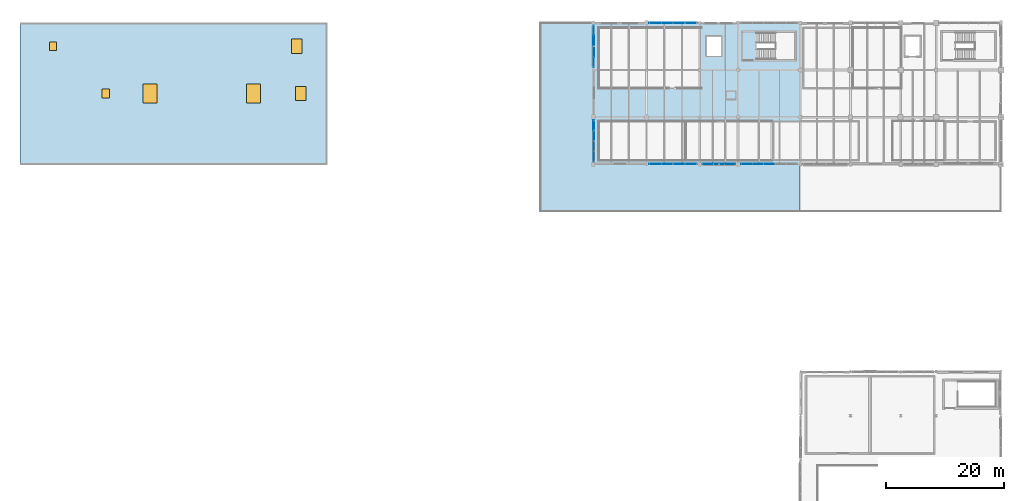
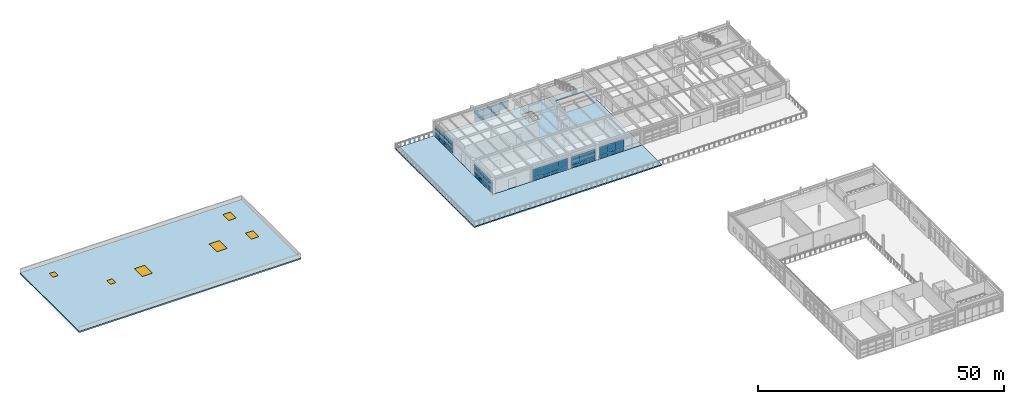
# One storey, part 42 of 56: 43 plates, 6 windows, 3 slabs, 6 openings, 6 elements without a shape of their own.
"""IFC4 building model written with IfcOpenShell, lengths in metres."""

from ifc_helpers import new_model, si_unit, direction, frame, origin, origin_2d, place, context, subcontext, project, spatial, polyline, rectangle, outline, extrude, material, layer, layer_set, type_object, element, fill, aggregate, save


model = new_model("IFC4")

# Units and contexts
model_context = context("Model", 3, precision=1e-05, world=origin(), true_north=direction((0.0, 1.0)))
body_context = subcontext(model_context, "Body", "Model", "MODEL_VIEW")
ifc_project = project(units=[si_unit("LENGTHUNIT", "METRE"), si_unit("AREAUNIT", "SQUARE_METRE"), si_unit("VOLUMEUNIT", "CUBIC_METRE"), si_unit("PLANEANGLEUNIT", "RADIAN"), si_unit("MASSUNIT", "GRAM", prefix="KILO"), si_unit("THERMODYNAMICTEMPERATUREUNIT", "KELVIN"), si_unit("POWERUNIT", "WATT")], contexts=[model_context])

# Site, building, storey
site_placement = place(None, origin())
site = spatial("IfcSite", under=ifc_project, at=site_placement, CompositionType="ELEMENT")
building_placement = place(site_placement, origin())
building = spatial("IfcBuilding", under=site, at=building_placement, Name="Tepalcoro Natatorium and Aquatics Centre", CompositionType="ELEMENT")
storey_placement = place(building_placement, frame((0.0, 0.0, 14.800048828125)))
storey = spatial("IfcBuildingStorey", under=building, at=storey_placement, Name="L03", CompositionType="ELEMENT", Elevation=14.800048828125)

# Curtain wall, plates
ifc_material_1 = material(Name="Bronze-Anodised Extruded Aluminium Alloy EN AW-6063 T6", Category="aluminium")
curtain_wall_type_1 = type_object("IfcCurtainWallType", Name="CW_V3_FOYER", PredefinedType="USERDEFINED", material=ifc_material_1)
curtain_wall_1_placement = place(storey_placement, origin())
curtain_wall_1 = element("IfcCurtainWall", 1, at=curtain_wall_1_placement, inside=storey, type_object=curtain_wall_type_1, Name="V5 L03 S Unitised Curtain Wall Bay 2", ObjectType="UNITISED STOREFRONT", PredefinedType="USERDEFINED")
ifc_material_2 = material(Name="Solar-Control Bronze Tempered Low-E Double Glazing", Category="glass")
ifc_layer_1 = layer(ifc_material_2, 0.048095703125)
ifc_layer_set_1 = layer_set([ifc_layer_1], Name="Solar-Control Bronze Tempered Low-E Double Glazing")
plate_type_1 = type_object("IfcPlateType", Name="PL_ACOUSTIC_IGU_48", PredefinedType="CURTAIN_PANEL", material=ifc_layer_set_1)
plate_1_placement = place(storey_placement, frame((117.485107421875, 94.0712890625, 0.823486328125), z_axis=(0.0, 0.0, 1.0), x_axis=(1.0, 0.0, 0.0)))
plate_1 = element("IfcPlate", 2, at=plate_1_placement, type_object=plate_type_1, Name="CW_V3_FOYER Insulated Glazing Unit", PredefinedType="CURTAIN_PANEL", context=body_context, shape_type="SweptSolid", body=[
    extrude(rectangle(XDim=1.989990234375, YDim=0.048095703125, at=origin_2d()), origin(), (0.0, 0.0, 1.0), 1.89990234375),
])
plate_2_placement = place(storey_placement, frame((123.514892578125, 94.0712890625, 0.823486328125), z_axis=(0.0, 0.0, 1.0), x_axis=(1.0, 0.0, 0.0)))
plate_2 = element("IfcPlate", 3, at=plate_2_placement, type_object=plate_type_1, Name="CW_V3_FOYER Insulated Glazing Unit", PredefinedType="CURTAIN_PANEL", context=body_context, shape_type="SweptSolid", body=[
    extrude(rectangle(XDim=1.989990234375, YDim=0.048095703125, at=origin_2d()), origin(), (0.0, 0.0, 1.0), 1.89990234375),
])

# Curtain wall, plate
curtain_wall_type_2 = type_object("IfcCurtainWallType", Name="CW_V4_VILLAGE", PredefinedType="USERDEFINED", material=ifc_material_1)
curtain_wall_2_placement = place(storey_placement, origin())
curtain_wall_2 = element("IfcCurtainWall", 4, at=curtain_wall_2_placement, inside=storey, type_object=curtain_wall_type_2, Name="V5 L03 S Unitised Curtain Wall Bay 3", ObjectType="UNITISED STOREFRONT", PredefinedType="USERDEFINED")
plate_3_placement = place(storey_placement, frame((130.0966796875, 94.0712890625, 0.804443359375), z_axis=(0.0, 0.0, 1.0), x_axis=(1.0, 0.0, 0.0)))
plate_3 = element("IfcPlate", 5, at=plate_3_placement, type_object=plate_type_1, Name="CW_V4_VILLAGE Insulated Glazing Unit", PredefinedType="CURTAIN_PANEL", context=body_context, shape_type="SweptSolid", body=[
    extrude(rectangle(XDim=1.82666015625, YDim=0.048095703125, at=origin_2d()), origin(), (0.0, 0.0, 1.0), 1.85498046875),
])

curtain_wall_type_3 = type_object("IfcCurtainWallType", Name="CW_V5_LOWER", PredefinedType="USERDEFINED", material=ifc_material_1)
curtain_wall_3_placement = place(storey_placement, origin())
curtain_wall_3 = element("IfcCurtainWall", 6, at=curtain_wall_3_placement, inside=storey, type_object=curtain_wall_type_3, Name="V5 L03 S Unitised Curtain Wall Bay 4", ObjectType="UNITISED STOREFRONT", PredefinedType="USERDEFINED")
plate_4_placement = place(storey_placement, frame((134.842041015625, 94.080078125, 0.85400390625), z_axis=(0.0, 0.0, 1.0), x_axis=(1.0, 0.0, 0.0)))
plate_4 = element("IfcPlate", 7, at=plate_4_placement, type_object=plate_type_1, Name="CW_V5_LOWER Insulated Glazing Unit", PredefinedType="CURTAIN_PANEL", context=body_context, shape_type="SweptSolid", body=[
    extrude(rectangle(XDim=1.887939453125, YDim=0.048095703125, at=origin_2d()), origin(), (0.0, 0.0, 1.0), 1.972412109375),
])

curtain_wall_type_4 = type_object("IfcCurtainWallType", Name="CW_LEAN_T1_EW", PredefinedType="USERDEFINED", material=ifc_material_1)
curtain_wall_4_placement = place(storey_placement, origin())
curtain_wall_4 = element("IfcCurtainWall", 8, at=curtain_wall_4_placement, inside=storey, type_object=curtain_wall_type_4, Name="V5 L03 N Unitised Curtain Wall Bay 2", ObjectType="FACETED SOLAR GLAZING", PredefinedType="USERDEFINED")
plate_5_placement = place(storey_placement, frame((119.4951171875, 117.9287109375, 0.84228515625), z_axis=(0.0, 0.0, 1.0), x_axis=(1.0, 0.0, 0.0)))
plate_5 = element("IfcPlate", 9, at=plate_5_placement, type_object=plate_type_1, Name="CW_LEAN_T1_EW Insulated Glazing Unit", PredefinedType="CURTAIN_PANEL", context=body_context, shape_type="SweptSolid", body=[
    extrude(rectangle(XDim=1.989990234375, YDim=0.048095703125, at=origin_2d()), origin(), (0.0, 0.0, 1.0), 1.944580078125),
])

# Curtain wall, plates
curtain_wall_type_5 = type_object("IfcCurtainWallType", Name="CW_V5_UPPER", PredefinedType="USERDEFINED", material=ifc_material_1)
curtain_wall_5_placement = place(storey_placement, origin())
curtain_wall_5 = element("IfcCurtainWall", 10, at=curtain_wall_5_placement, inside=storey, type_object=curtain_wall_type_5, Name="V5 L03 W Unitised Curtain Wall Bay 1", ObjectType="FACETED SOLAR GLAZING", PredefinedType="USERDEFINED")
plate_6_placement = place(storey_placement, frame((107.0712890625, 95.360107421875, 0.83837890625), z_axis=(0.0, 0.0, 1.0), x_axis=(1.0, 0.0, 0.0)))
plate_6 = element("IfcPlate", 11, at=plate_6_placement, type_object=plate_type_1, Name="CW_V5_UPPER Insulated Glazing Unit", PredefinedType="CURTAIN_PANEL", context=body_context, shape_type="SweptSolid", body=[
    extrude(rectangle(XDim=0.048095703125, YDim=1.739990234375, at=origin_2d()), origin(), (0.0, 0.0, 1.0), 1.935302734375),
])
plate_7_placement = place(storey_placement, frame((107.0712890625, 100.639892578125, 0.83837890625), z_axis=(0.0, 0.0, 1.0), x_axis=(1.0, 0.0, 0.0)))
plate_7 = element("IfcPlate", 12, at=plate_7_placement, type_object=plate_type_1, Name="CW_V5_UPPER Insulated Glazing Unit", PredefinedType="CURTAIN_PANEL", context=body_context, shape_type="SweptSolid", body=[
    extrude(rectangle(XDim=0.048095703125, YDim=1.739990234375, at=origin_2d()), origin(), (0.0, 0.0, 1.0), 1.935302734375),
])

# Curtain wall, plate
curtain_wall_6_placement = place(storey_placement, origin())
curtain_wall_6 = element("IfcCurtainWall", 13, at=curtain_wall_6_placement, inside=storey, type_object=curtain_wall_type_4, Name="V5 L03 W Unitised Curtain Wall Bay 3", ObjectType="FACETED SOLAR GLAZING", PredefinedType="USERDEFINED")
plate_8_placement = place(storey_placement, frame((107.0712890625, 114.8798828125, 0.869140625), z_axis=(0.0, 0.0, 1.0), x_axis=(1.0, 0.0, 0.0)))
plate_8 = element("IfcPlate", 14, at=plate_8_placement, type_object=plate_type_1, Name="CW_LEAN_T1_EW Insulated Glazing Unit", PredefinedType="CURTAIN_PANEL", context=body_context, shape_type="SweptSolid", body=[
    extrude(rectangle(XDim=0.048095703125, YDim=1.739990234375, at=origin_2d()), origin(), (0.0, 0.0, 1.0), 2.0078125),
])

# Plate
ifc_layer_2 = layer(ifc_material_2, 0.028076171875)
ifc_layer_set_2 = layer_set([ifc_layer_2], Name="Solar-Control Bronze Tempered Low-E Double Glazing")
plate_type_2 = type_object("IfcPlateType", Name="PL_BRONZE_IGU_28", PredefinedType="CURTAIN_PANEL", material=ifc_layer_set_2)
plate_9_placement = place(storey_placement, frame((121.5048828125, 94.0712890625, 0.823486328125), z_axis=(0.0, 0.0, 1.0), x_axis=(1.0, 0.0, 0.0)))
plate_9 = element("IfcPlate", 15, at=plate_9_placement, type_object=plate_type_2, Name="CW_V3_FOYER Insulated Glazing Unit", PredefinedType="CURTAIN_PANEL", context=body_context, shape_type="SweptSolid", body=[
    extrude(rectangle(XDim=1.989990234375, YDim=0.028076171875, at=origin_2d()), origin(), (0.0, 0.0, 1.0), 1.89990234375),
])

plate_10_placement = place(storey_placement, frame((128.25, 94.0712890625, 0.804443359375), z_axis=(0.0, 0.0, 1.0), x_axis=(1.0, 0.0, 0.0)))
plate_10 = element("IfcPlate", 16, at=plate_10_placement, type_object=plate_type_2, Name="CW_V4_VILLAGE Insulated Glazing Unit", PredefinedType="CURTAIN_PANEL", context=body_context, shape_type="SweptSolid", body=[
    extrude(rectangle(XDim=1.82666015625, YDim=0.028076171875, at=origin_2d()), origin(), (0.0, 0.0, 1.0), 1.85498046875),
])

plate_11_placement = place(storey_placement, frame((132.93408203125, 94.080078125, 0.85400390625), z_axis=(0.0, 0.0, 1.0), x_axis=(1.0, 0.0, 0.0)))
plate_11 = element("IfcPlate", 17, at=plate_11_placement, type_object=plate_type_2, Name="CW_V5_LOWER Insulated Glazing Unit", PredefinedType="CURTAIN_PANEL", context=body_context, shape_type="SweptSolid", body=[
    extrude(rectangle(XDim=1.887939453125, YDim=0.028076171875, at=origin_2d()), origin(), (0.0, 0.0, 1.0), 1.972412109375),
])

plate_12_placement = place(storey_placement, frame((117.485107421875, 117.9287109375, 0.84228515625), z_axis=(0.0, 0.0, 1.0), x_axis=(1.0, 0.0, 0.0)))
plate_12 = element("IfcPlate", 18, at=plate_12_placement, type_object=plate_type_2, Name="CW_LEAN_T1_EW Insulated Glazing Unit", PredefinedType="CURTAIN_PANEL", context=body_context, shape_type="SweptSolid", body=[
    extrude(rectangle(XDim=1.989990234375, YDim=0.028076171875, at=origin_2d()), origin(), (0.0, 0.0, 1.0), 1.944580078125),
])

plate_13_placement = place(storey_placement, frame((123.514892578125, 117.9287109375, 0.84228515625), z_axis=(0.0, 0.0, 1.0), x_axis=(1.0, 0.0, 0.0)))
plate_13 = element("IfcPlate", 19, at=plate_13_placement, type_object=plate_type_2, Name="CW_LEAN_T1_EW Insulated Glazing Unit", PredefinedType="CURTAIN_PANEL", context=body_context, shape_type="SweptSolid", body=[
    extrude(rectangle(XDim=1.989990234375, YDim=0.028076171875, at=origin_2d()), origin(), (0.0, 0.0, 1.0), 1.944580078125),
])

plate_14_placement = place(storey_placement, frame((107.0712890625, 98.8798828125, 0.83837890625), z_axis=(0.0, 0.0, 1.0), x_axis=(1.0, 0.0, 0.0)))
plate_14 = element("IfcPlate", 20, at=plate_14_placement, type_object=plate_type_2, Name="CW_V5_UPPER Insulated Glazing Unit", PredefinedType="CURTAIN_PANEL", context=body_context, shape_type="SweptSolid", body=[
    extrude(rectangle(XDim=0.028076171875, YDim=1.739990234375, at=origin_2d()), origin(), (0.0, 0.0, 1.0), 1.935302734375),
])

plate_15_placement = place(storey_placement, frame((107.0712890625, 113.1201171875, 0.869140625), z_axis=(0.0, 0.0, 1.0), x_axis=(1.0, 0.0, 0.0)))
plate_15 = element("IfcPlate", 21, at=plate_15_placement, type_object=plate_type_2, Name="CW_LEAN_T1_EW Insulated Glazing Unit", PredefinedType="CURTAIN_PANEL", context=body_context, shape_type="SweptSolid", body=[
    extrude(rectangle(XDim=0.028076171875, YDim=1.739990234375, at=origin_2d()), origin(), (0.0, 0.0, 1.0), 2.0078125),
])

ifc_material_3 = material(Name="Jalisco Cantera Rosa Volcanic Tuff Ashlar Masonry", Category="masonry")
ifc_layer_3 = layer(ifc_material_3, 0.090087890625)
ifc_layer_set_3 = layer_set([ifc_layer_3], Name="Jalisco Cantera Rosa Volcanic Tuff Ashlar Masonry")
plate_type_3 = type_object("IfcPlateType", Name="PL_CANTERA_90", PredefinedType="SHEET", material=ifc_layer_set_3)
plate_16_placement = place(storey_placement, frame((119.4951171875, 94.0712890625, 0.044921875), z_axis=(0.0, 0.0, 1.0), x_axis=(1.0, 0.0, 0.0)))
plate_16 = element("IfcPlate", 22, at=plate_16_placement, type_object=plate_type_3, Name="CW_V3_FOYER Spandrel & Screen Panel", PredefinedType="SHEET", context=body_context, shape_type="SweptSolid", body=[
    extrude(rectangle(XDim=1.989990234375, YDim=0.090087890625, at=origin_2d()), origin(), (0.0, 0.0, 1.0), 0.7734375),
])

plate_17_placement = place(storey_placement, frame((126.4033203125, 94.0712890625, 0.044921875), z_axis=(0.0, 0.0, 1.0), x_axis=(1.0, 0.0, 0.0)))
plate_17 = element("IfcPlate", 23, at=plate_17_placement, type_object=plate_type_3, Name="CW_V4_VILLAGE Spandrel & Screen Panel", PredefinedType="SHEET", context=body_context, shape_type="SweptSolid", body=[
    extrude(rectangle(XDim=1.82666015625, YDim=0.090087890625, at=origin_2d()), origin(), (0.0, 0.0, 1.0), 0.75439453125),
])

plate_18_placement = place(storey_placement, frame((119.4951171875, 117.9287109375, 0.044921875), z_axis=(0.0, 0.0, 1.0), x_axis=(1.0, 0.0, 0.0)))
plate_18 = element("IfcPlate", 24, at=plate_18_placement, type_object=plate_type_3, Name="CW_LEAN_T1_EW Spandrel & Screen Panel", PredefinedType="SHEET", context=body_context, shape_type="SweptSolid", body=[
    extrude(rectangle(XDim=1.989990234375, YDim=0.090087890625, at=origin_2d()), origin(), (0.0, 0.0, 1.0), 0.79248046875),
])

plate_19_placement = place(storey_placement, frame((107.0712890625, 98.8798828125, 0.044921875), z_axis=(0.0, 0.0, 1.0), x_axis=(1.0, 0.0, 0.0)))
plate_19 = element("IfcPlate", 25, at=plate_19_placement, type_object=plate_type_3, Name="CW_V5_UPPER Spandrel & Screen Panel", PredefinedType="SHEET", context=body_context, shape_type="SweptSolid", body=[
    extrude(rectangle(XDim=0.090087890625, YDim=1.739990234375, at=origin_2d()), origin(), (0.0, 0.0, 1.0), 0.78857421875),
])

plate_20_placement = place(storey_placement, frame((107.0712890625, 113.1201171875, 0.044921875), z_axis=(0.0, 0.0, 1.0), x_axis=(1.0, 0.0, 0.0)))
plate_20 = element("IfcPlate", 26, at=plate_20_placement, type_object=plate_type_3, Name="CW_LEAN_T1_EW Spandrel & Screen Panel", PredefinedType="SHEET", context=body_context, shape_type="SweptSolid", body=[
    extrude(rectangle(XDim=0.090087890625, YDim=1.739990234375, at=origin_2d()), origin(), (0.0, 0.0, 1.0), 0.8193359375),
])

ifc_material_4 = material(Name="Clear Tempered Low-E Safety Glazing", Category="glass")
ifc_layer_4 = layer(ifc_material_4, 0.011962890625)
ifc_layer_set_4 = layer_set([ifc_layer_4], Name="Clear Tempered Low-E Safety Glazing")
plate_type_4 = type_object("IfcPlateType", Name="PL_GLASS_12", PredefinedType="CURTAIN_PANEL", material=ifc_layer_set_4)
plate_21_placement = place(storey_placement, frame((119.4951171875, 94.0712890625, 0.823486328125), z_axis=(0.0, 0.0, 1.0), x_axis=(1.0, 0.0, 0.0)))
plate_21 = element("IfcPlate", 27, at=plate_21_placement, type_object=plate_type_4, Name="CW_V3_FOYER Insulated Glazing Unit", PredefinedType="CURTAIN_PANEL", context=body_context, shape_type="SweptSolid", body=[
    extrude(rectangle(XDim=1.989990234375, YDim=0.011962890625, at=origin_2d()), origin(), (0.0, 0.0, 1.0), 1.89990234375),
])

plate_22_placement = place(storey_placement, frame((126.4033203125, 94.0712890625, 0.804443359375), z_axis=(0.0, 0.0, 1.0), x_axis=(1.0, 0.0, 0.0)))
plate_22 = element("IfcPlate", 28, at=plate_22_placement, type_object=plate_type_4, Name="CW_V4_VILLAGE Insulated Glazing Unit", PredefinedType="CURTAIN_PANEL", context=body_context, shape_type="SweptSolid", body=[
    extrude(rectangle(XDim=1.82666015625, YDim=0.011962890625, at=origin_2d()), origin(), (0.0, 0.0, 1.0), 1.85498046875),
])

plate_23_placement = place(storey_placement, frame((136.75, 94.080078125, 0.85400390625), z_axis=(0.0, 0.0, 1.0), x_axis=(1.0, 0.0, 0.0)))
plate_23 = element("IfcPlate", 29, at=plate_23_placement, type_object=plate_type_4, Name="CW_V5_LOWER Insulated Glazing Unit", PredefinedType="CURTAIN_PANEL", context=body_context, shape_type="SweptSolid", body=[
    extrude(rectangle(XDim=1.887939453125, YDim=0.011962890625, at=origin_2d()), origin(), (0.0, 0.0, 1.0), 1.972412109375),
])

plate_24_placement = place(storey_placement, frame((121.5048828125, 117.9287109375, 0.84228515625), z_axis=(0.0, 0.0, 1.0), x_axis=(1.0, 0.0, 0.0)))
plate_24 = element("IfcPlate", 30, at=plate_24_placement, type_object=plate_type_4, Name="CW_LEAN_T1_EW Insulated Glazing Unit", PredefinedType="CURTAIN_PANEL", context=body_context, shape_type="SweptSolid", body=[
    extrude(rectangle(XDim=1.989990234375, YDim=0.011962890625, at=origin_2d()), origin(), (0.0, 0.0, 1.0), 1.944580078125),
])

plate_25_placement = place(storey_placement, frame((107.0712890625, 97.1201171875, 0.83837890625), z_axis=(0.0, 0.0, 1.0), x_axis=(1.0, 0.0, 0.0)))
plate_25 = element("IfcPlate", 31, at=plate_25_placement, type_object=plate_type_4, Name="CW_V5_UPPER Insulated Glazing Unit", PredefinedType="CURTAIN_PANEL", context=body_context, shape_type="SweptSolid", body=[
    extrude(rectangle(XDim=0.011962890625, YDim=1.739990234375, at=origin_2d()), origin(), (0.0, 0.0, 1.0), 1.935302734375),
])

plate_26_placement = place(storey_placement, frame((107.0712890625, 111.360107421875, 0.869140625), z_axis=(0.0, 0.0, 1.0), x_axis=(1.0, 0.0, 0.0)))
plate_26 = element("IfcPlate", 32, at=plate_26_placement, type_object=plate_type_4, Name="CW_LEAN_T1_EW Insulated Glazing Unit", PredefinedType="CURTAIN_PANEL", context=body_context, shape_type="SweptSolid", body=[
    extrude(rectangle(XDim=0.011962890625, YDim=1.739990234375, at=origin_2d()), origin(), (0.0, 0.0, 1.0), 2.0078125),
])

plate_27_placement = place(storey_placement, frame((107.0712890625, 116.639892578125, 0.869140625), z_axis=(0.0, 0.0, 1.0), x_axis=(1.0, 0.0, 0.0)))
plate_27 = element("IfcPlate", 33, at=plate_27_placement, type_object=plate_type_4, Name="CW_LEAN_T1_EW Insulated Glazing Unit", PredefinedType="CURTAIN_PANEL", context=body_context, shape_type="SweptSolid", body=[
    extrude(rectangle(XDim=0.011962890625, YDim=1.739990234375, at=origin_2d()), origin(), (0.0, 0.0, 1.0), 2.0078125),
])

ifc_material_5 = material(Name="Volcanic Recinto Basalt Ashlar Masonry", Category="masonry")
ifc_layer_5 = layer(ifc_material_5, 0.110107421875)
ifc_layer_set_5 = layer_set([ifc_layer_5], Name="Volcanic Recinto Basalt Ashlar Masonry")
plate_type_5 = type_object("IfcPlateType", Name="PL_RECINTO_110", PredefinedType="SHEET", material=ifc_layer_set_5)
plate_28_placement = place(storey_placement, frame((121.5048828125, 94.0712890625, 0.044921875), z_axis=(0.0, 0.0, 1.0), x_axis=(1.0, 0.0, 0.0)))
plate_28 = element("IfcPlate", 34, at=plate_28_placement, type_object=plate_type_5, Name="CW_V3_FOYER Spandrel & Screen Panel", PredefinedType="SHEET", context=body_context, shape_type="SweptSolid", body=[
    extrude(rectangle(XDim=1.989990234375, YDim=0.110107421875, at=origin_2d()), origin(), (0.0, 0.0, 1.0), 0.7734375),
])

plate_29_placement = place(storey_placement, frame((128.25, 94.0712890625, 0.044921875), z_axis=(0.0, 0.0, 1.0), x_axis=(1.0, 0.0, 0.0)))
plate_29 = element("IfcPlate", 35, at=plate_29_placement, type_object=plate_type_5, Name="CW_V4_VILLAGE Spandrel & Screen Panel", PredefinedType="SHEET", context=body_context, shape_type="SweptSolid", body=[
    extrude(rectangle(XDim=1.82666015625, YDim=0.110107421875, at=origin_2d()), origin(), (0.0, 0.0, 1.0), 0.75439453125),
])

plate_30_placement = place(storey_placement, frame((132.93408203125, 94.080078125, 0.044921875), z_axis=(0.0, 0.0, 1.0), x_axis=(1.0, 0.0, 0.0)))
plate_30 = element("IfcPlate", 36, at=plate_30_placement, type_object=plate_type_5, Name="CW_V5_LOWER Spandrel & Screen Panel", PredefinedType="SHEET", context=body_context, shape_type="SweptSolid", body=[
    extrude(rectangle(XDim=1.887939453125, YDim=0.110107421875, at=origin_2d()), origin(), (0.0, 0.0, 1.0), 0.80419921875),
])

plate_31_placement = place(storey_placement, frame((121.5048828125, 117.9287109375, 0.044921875), z_axis=(0.0, 0.0, 1.0), x_axis=(1.0, 0.0, 0.0)))
plate_31 = element("IfcPlate", 37, at=plate_31_placement, type_object=plate_type_5, Name="CW_LEAN_T1_EW Spandrel & Screen Panel", PredefinedType="SHEET", context=body_context, shape_type="SweptSolid", body=[
    extrude(rectangle(XDim=1.989990234375, YDim=0.110107421875, at=origin_2d()), origin(), (0.0, 0.0, 1.0), 0.79248046875),
])

plate_32_placement = place(storey_placement, frame((107.0712890625, 100.639892578125, 0.044921875), z_axis=(0.0, 0.0, 1.0), x_axis=(1.0, 0.0, 0.0)))
plate_32 = element("IfcPlate", 38, at=plate_32_placement, type_object=plate_type_5, Name="CW_V5_UPPER Spandrel & Screen Panel", PredefinedType="SHEET", context=body_context, shape_type="SweptSolid", body=[
    extrude(rectangle(XDim=0.110107421875, YDim=1.739990234375, at=origin_2d()), origin(), (0.0, 0.0, 1.0), 0.78857421875),
])

plate_33_placement = place(storey_placement, frame((107.0712890625, 114.8798828125, 0.044921875), z_axis=(0.0, 0.0, 1.0), x_axis=(1.0, 0.0, 0.0)))
plate_33 = element("IfcPlate", 39, at=plate_33_placement, type_object=plate_type_5, Name="CW_LEAN_T1_EW Spandrel & Screen Panel", PredefinedType="SHEET", context=body_context, shape_type="SweptSolid", body=[
    extrude(rectangle(XDim=0.110107421875, YDim=1.739990234375, at=origin_2d()), origin(), (0.0, 0.0, 1.0), 0.8193359375),
])

ifc_layer_6 = layer(ifc_material_1, 0.050048828125)
ifc_layer_set_6 = layer_set([ifc_layer_6], Name="Bronze-Anodised Extruded Aluminium Alloy EN AW-6063 T6")
plate_type_6 = type_object("IfcPlateType", Name="PL_SCREEN_50", PredefinedType="SHEET", material=ifc_layer_set_6)
plate_34_placement = place(storey_placement, frame((136.75, 94.080078125, 0.044921875), z_axis=(0.0, 0.0, 1.0), x_axis=(1.0, 0.0, 0.0)))
plate_34 = element("IfcPlate", 40, at=plate_34_placement, type_object=plate_type_6, Name="CW_V5_LOWER Spandrel & Screen Panel", PredefinedType="SHEET", context=body_context, shape_type="SweptSolid", body=[
    extrude(rectangle(XDim=1.887939453125, YDim=0.050048828125, at=origin_2d()), origin(), (0.0, 0.0, 1.0), 0.80419921875),
])

plate_35_placement = place(storey_placement, frame((107.0712890625, 95.360107421875, 0.044921875), z_axis=(0.0, 0.0, 1.0), x_axis=(1.0, 0.0, 0.0)))
plate_35 = element("IfcPlate", 41, at=plate_35_placement, type_object=plate_type_6, Name="CW_V5_UPPER Spandrel & Screen Panel", PredefinedType="SHEET", context=body_context, shape_type="SweptSolid", body=[
    extrude(rectangle(XDim=0.050048828125, YDim=1.739990234375, at=origin_2d()), origin(), (0.0, 0.0, 1.0), 0.78857421875),
])

ifc_layer_7 = layer(ifc_material_1, 0.06005859375)
ifc_layer_set_7 = layer_set([ifc_layer_7], Name="Bronze-Anodised Extruded Aluminium Alloy EN AW-6063 T6")
plate_type_7 = type_object("IfcPlateType", Name="PL_SCREEN_60", PredefinedType="SHEET", material=ifc_layer_set_7)
plate_36_placement = place(storey_placement, frame((117.485107421875, 94.0712890625, 0.044921875), z_axis=(0.0, 0.0, 1.0), x_axis=(1.0, 0.0, 0.0)))
plate_36 = element("IfcPlate", 42, at=plate_36_placement, type_object=plate_type_7, Name="CW_V3_FOYER Spandrel & Screen Panel", PredefinedType="SHEET", context=body_context, shape_type="SweptSolid", body=[
    extrude(rectangle(XDim=1.989990234375, YDim=0.06005859375, at=origin_2d()), origin(), (0.0, 0.0, 1.0), 0.7734375),
])

plate_37_placement = place(storey_placement, frame((117.485107421875, 117.9287109375, 0.044921875), z_axis=(0.0, 0.0, 1.0), x_axis=(1.0, 0.0, 0.0)))
plate_37 = element("IfcPlate", 43, at=plate_37_placement, type_object=plate_type_7, Name="CW_LEAN_T1_EW Spandrel & Screen Panel", PredefinedType="SHEET", context=body_context, shape_type="SweptSolid", body=[
    extrude(rectangle(XDim=1.989990234375, YDim=0.06005859375, at=origin_2d()), origin(), (0.0, 0.0, 1.0), 0.79248046875),
])

aggregate(curtain_wall_4, [plate_12, plate_37, plate_5, plate_18, plate_24, plate_31, plate_13])

plate_38_placement = place(storey_placement, frame((107.0712890625, 97.1201171875, 0.044921875), z_axis=(0.0, 0.0, 1.0), x_axis=(1.0, 0.0, 0.0)))
plate_38 = element("IfcPlate", 44, at=plate_38_placement, type_object=plate_type_7, Name="CW_V5_UPPER Spandrel & Screen Panel", PredefinedType="SHEET", context=body_context, shape_type="SweptSolid", body=[
    extrude(rectangle(XDim=0.06005859375, YDim=1.739990234375, at=origin_2d()), origin(), (0.0, 0.0, 1.0), 0.78857421875),
])

aggregate(curtain_wall_5, [plate_6, plate_35, plate_25, plate_38, plate_14, plate_19, plate_7, plate_32])

plate_39_placement = place(storey_placement, frame((107.0712890625, 111.360107421875, 0.044921875), z_axis=(0.0, 0.0, 1.0), x_axis=(1.0, 0.0, 0.0)))
plate_39 = element("IfcPlate", 45, at=plate_39_placement, type_object=plate_type_7, Name="CW_LEAN_T1_EW Spandrel & Screen Panel", PredefinedType="SHEET", context=body_context, shape_type="SweptSolid", body=[
    extrude(rectangle(XDim=0.06005859375, YDim=1.739990234375, at=origin_2d()), origin(), (0.0, 0.0, 1.0), 0.8193359375),
])

ifc_material_6 = material(Name="Insulated Bronze Anodised Aluminium Spandrel Panel", Category="aluminium")
ifc_layer_8 = layer(ifc_material_6, 0.070068359375)
ifc_layer_set_8 = layer_set([ifc_layer_8], Name="Insulated Bronze Anodised Aluminium Spandrel Panel")
plate_type_8 = type_object("IfcPlateType", Name="PL_SPANDREL_70", PredefinedType="CURTAIN_PANEL", material=ifc_layer_set_8)
plate_40_placement = place(storey_placement, frame((123.514892578125, 94.0712890625, 0.044921875), z_axis=(0.0, 0.0, 1.0), x_axis=(1.0, 0.0, 0.0)))
plate_40 = element("IfcPlate", 46, at=plate_40_placement, type_object=plate_type_8, Name="CW_V3_FOYER Spandrel & Screen Panel", PredefinedType="CURTAIN_PANEL", context=body_context, shape_type="SweptSolid", body=[
    extrude(rectangle(XDim=1.989990234375, YDim=0.070068359375, at=origin_2d()), origin(), (0.0, 0.0, 1.0), 0.7734375),
])

aggregate(curtain_wall_1, [plate_1, plate_36, plate_21, plate_16, plate_9, plate_28, plate_2, plate_40])

plate_41_placement = place(storey_placement, frame((130.0966796875, 94.0712890625, 0.044921875), z_axis=(0.0, 0.0, 1.0), x_axis=(1.0, 0.0, 0.0)))
plate_41 = element("IfcPlate", 47, at=plate_41_placement, type_object=plate_type_8, Name="CW_V4_VILLAGE Spandrel & Screen Panel", PredefinedType="CURTAIN_PANEL", context=body_context, shape_type="SweptSolid", body=[
    extrude(rectangle(XDim=1.82666015625, YDim=0.070068359375, at=origin_2d()), origin(), (0.0, 0.0, 1.0), 0.75439453125),
])

aggregate(curtain_wall_2, [plate_22, plate_17, plate_10, plate_29, plate_3, plate_41])

plate_42_placement = place(storey_placement, frame((134.842041015625, 94.080078125, 0.044921875), z_axis=(0.0, 0.0, 1.0), x_axis=(1.0, 0.0, 0.0)))
plate_42 = element("IfcPlate", 48, at=plate_42_placement, type_object=plate_type_8, Name="CW_V5_LOWER Spandrel & Screen Panel", PredefinedType="CURTAIN_PANEL", context=body_context, shape_type="SweptSolid", body=[
    extrude(rectangle(XDim=1.887939453125, YDim=0.070068359375, at=origin_2d()), origin(), (0.0, 0.0, 1.0), 0.80419921875),
])

aggregate(curtain_wall_3, [plate_11, plate_30, plate_4, plate_42, plate_23, plate_34])

plate_43_placement = place(storey_placement, frame((107.0712890625, 116.639892578125, 0.044921875), z_axis=(0.0, 0.0, 1.0), x_axis=(1.0, 0.0, 0.0)))
plate_43 = element("IfcPlate", 49, at=plate_43_placement, type_object=plate_type_8, Name="CW_LEAN_T1_EW Spandrel & Screen Panel", PredefinedType="CURTAIN_PANEL", context=body_context, shape_type="SweptSolid", body=[
    extrude(rectangle(XDim=0.070068359375, YDim=1.739990234375, at=origin_2d()), origin(), (0.0, 0.0, 1.0), 0.8193359375),
])

aggregate(curtain_wall_6, [plate_26, plate_39, plate_15, plate_20, plate_8, plate_33, plate_27, plate_43])

# Slab
ifc_material_7 = material(Name="Concrete C35/45 (fc 35 MPa)", Category="concrete")
ifc_layer_9 = layer(ifc_material_7, 0.219970703125)
ifc_layer_set_9 = layer_set([ifc_layer_9], Name="Concrete C35/45 (fc 35 MPa)")
slab_type_1 = type_object("IfcSlabType", Name="SL_FLOOR_220", PredefinedType="FLOOR", material=ifc_layer_set_9)
slab_1_placement = place(storey_placement, frame((0.0, 0.0, -0.219970703125)))
element("IfcSlab", 50, at=slab_1_placement, inside=storey, type_object=slab_type_1, Name="V5 L03 Natatorium and Civic Floor Slab W", PredefinedType="FLOOR", context=body_context, shape_type="SweptSolid", body=[
    extrude(outline(polyline([(107.0, 118.0), (142.0, 118.0), (142.0, 94.0), (107.0, 94.0), (107.0, 118.0)]), holes=[polyline([(141.10009765625, 116.35009765625), (134.580078125, 116.35009765625), (134.580078125, 111.75), (141.10009765625, 111.75), (141.10009765625, 116.35009765625)]), polyline([(126.199951171875, 112.39990234375), (128.60009765625, 112.39990234375), (128.60009765625, 115.60009765625), (126.199951171875, 115.60009765625), (126.199951171875, 112.39990234375)])]), origin(), (0.0, 0.0, 1.0), 0.219970703125),
])

# Slab, openings, windows
ifc_layer_10 = layer(ifc_material_7, 0.35009765625)
ifc_layer_set_10 = layer_set([ifc_layer_10], Name="Concrete C35/45 (fc 35 MPa)")
slab_type_2 = type_object("IfcSlabType", Name="SL_GREENROOF_350", PredefinedType="ROOF", material=ifc_layer_set_10)
slab_2_placement = place(storey_placement, frame((0.0, 0.0, -0.35009765625)))
slab_2 = element("IfcSlab", 51, at=slab_2_placement, inside=storey, type_object=slab_type_2, Name="V4 Intensive Green Roof Slab", PredefinedType="ROOF", context=body_context, shape_type="SweptSolid", body=[
    extrude(outline(polyline([(62.0, 94.0), (62.0, 118.0), (10.0, 118.0), (10.0, 94.0), (62.0, 94.0)])), origin(), (0.0, 0.0, 1.0), 0.35009765625),
])
opening_1_placement = place(slab_2_placement, frame((15.60009765625, 114.0, 0.0)))
opening_1 = element("IfcOpeningElement", 52, at=opening_1_placement, cuts=slab_2, Name="Opening SK01", PredefinedType="OPENING", context=body_context, shape_type="SweptSolid", body=[
    extrude(rectangle(XDim=1.199951171875, YDim=1.5, at=origin_2d()), frame((0.0, 0.0, -0.011962890625)), (0.0, 0.0, 1.0), 0.3740234375),
])
opening_2_placement = place(slab_2_placement, frame((24.5, 106.0, 0.0)))
opening_2 = element("IfcOpeningElement", 53, at=opening_2_placement, cuts=slab_2, Name="Opening SK01", PredefinedType="OPENING", context=body_context, shape_type="SweptSolid", body=[
    extrude(rectangle(XDim=1.199951171875, YDim=1.5, at=origin_2d()), frame((0.0, 0.0, -0.011962890625)), (0.0, 0.0, 1.0), 0.3740234375),
])
opening_3_placement = place(slab_2_placement, frame((32.0, 106.0, 0.0)))
opening_3 = element("IfcOpeningElement", 54, at=opening_3_placement, cuts=slab_2, Name="Opening SK03", PredefinedType="OPENING", context=body_context, shape_type="SweptSolid", body=[
    extrude(rectangle(XDim=2.39990234375, YDim=3.199951171875, at=origin_2d()), frame((0.0, 0.0, -0.011962890625)), (0.0, 0.0, 1.0), 0.3740234375),
])
opening_4_placement = place(slab_2_placement, frame((49.5, 106.0, 0.0)))
opening_4 = element("IfcOpeningElement", 55, at=opening_4_placement, cuts=slab_2, Name="Opening SK03", PredefinedType="OPENING", context=body_context, shape_type="SweptSolid", body=[
    extrude(rectangle(XDim=2.39990234375, YDim=3.199951171875, at=origin_2d()), frame((0.0, 0.0, -0.011962890625)), (0.0, 0.0, 1.0), 0.3740234375),
])
opening_5_placement = place(slab_2_placement, frame((56.800048828125, 114.0, 0.0)))
opening_5 = element("IfcOpeningElement", 56, at=opening_5_placement, cuts=slab_2, Name="Opening SK02", PredefinedType="OPENING", context=body_context, shape_type="SweptSolid", body=[
    extrude(rectangle(XDim=1.800048828125, YDim=2.39990234375, at=origin_2d()), frame((0.0, 0.0, -0.011962890625)), (0.0, 0.0, 1.0), 0.3740234375),
])
opening_6_placement = place(slab_2_placement, frame((57.5, 106.0, 0.0)))
opening_6 = element("IfcOpeningElement", 57, at=opening_6_placement, cuts=slab_2, Name="Opening SK02", PredefinedType="OPENING", context=body_context, shape_type="SweptSolid", body=[
    extrude(rectangle(XDim=1.800048828125, YDim=2.39990234375, at=origin_2d()), frame((0.0, 0.0, -0.011962890625)), (0.0, 0.0, 1.0), 0.3740234375),
])
ifc_material_8 = material(Name="Tempered Solar-Control Pyramid Skylight Glazing", Category="glass")
window_type_1 = type_object("IfcWindowType", Name="SK_120x150", PartitioningType="SINGLE_PANEL", PredefinedType="SKYLIGHT", material=ifc_material_8)
window_1_placement = place(opening_1_placement, frame((0.0, 0.0, 0.300048828125)))
window_1 = element("IfcWindow", 58, at=window_1_placement, inside=storey, type_object=window_type_1, Name="V4 Roof Skylight Hatch W1", OverallHeight=1.5, OverallWidth=1.199951171875, PartitioningType="SINGLE_PANEL", PredefinedType="SKYLIGHT", context=body_context, shape_type="SweptSolid", body=[
    extrude(rectangle(XDim=1.199951171875, YDim=1.5, at=origin_2d()), origin(), (0.0, 0.0, 1.0), 0.050048828125),
])
fill(opening_1, window_1)
window_2_placement = place(opening_2_placement, frame((0.0, 0.0, 0.300048828125)))
window_2 = element("IfcWindow", 59, at=window_2_placement, inside=storey, type_object=window_type_1, Name="V4 Roof Skylight Hatch W2", OverallHeight=1.5, OverallWidth=1.199951171875, PartitioningType="SINGLE_PANEL", PredefinedType="SKYLIGHT", context=body_context, shape_type="SweptSolid", body=[
    extrude(rectangle(XDim=1.199951171875, YDim=1.5, at=origin_2d()), origin(), (0.0, 0.0, 1.0), 0.050048828125),
])
fill(opening_2, window_2)
window_type_2 = type_object("IfcWindowType", Name="SK_180x240", PartitioningType="SINGLE_PANEL", PredefinedType="SKYLIGHT", material=ifc_material_8)
window_3_placement = place(opening_5_placement, frame((0.0, 0.0, 0.300048828125)))
window_3 = element("IfcWindow", 60, at=window_3_placement, inside=storey, type_object=window_type_2, Name="V4 Roof Skylight Hatch E1", OverallHeight=2.39990234375, OverallWidth=1.800048828125, PartitioningType="SINGLE_PANEL", PredefinedType="SKYLIGHT", context=body_context, shape_type="SweptSolid", body=[
    extrude(rectangle(XDim=1.800048828125, YDim=2.39990234375, at=origin_2d()), origin(), (0.0, 0.0, 1.0), 0.050048828125),
])
fill(opening_5, window_3)
window_4_placement = place(opening_6_placement, frame((0.0, 0.0, 0.300048828125)))
window_4 = element("IfcWindow", 61, at=window_4_placement, inside=storey, type_object=window_type_2, Name="V4 Roof Skylight Hatch E2", OverallHeight=2.39990234375, OverallWidth=1.800048828125, PartitioningType="SINGLE_PANEL", PredefinedType="SKYLIGHT", context=body_context, shape_type="SweptSolid", body=[
    extrude(rectangle(XDim=1.800048828125, YDim=2.39990234375, at=origin_2d()), origin(), (0.0, 0.0, 1.0), 0.050048828125),
])
fill(opening_6, window_4)
window_type_3 = type_object("IfcWindowType", Name="SK_240x320", PartitioningType="SINGLE_PANEL", PredefinedType="SKYLIGHT", material=ifc_material_8)
window_5_placement = place(opening_3_placement, frame((0.0, 0.0, 0.300048828125)))
window_5 = element("IfcWindow", 62, at=window_5_placement, inside=storey, type_object=window_type_3, Name="V4 Roof Skylight Hatch M1", OverallHeight=3.199951171875, OverallWidth=2.39990234375, PartitioningType="SINGLE_PANEL", PredefinedType="SKYLIGHT", context=body_context, shape_type="SweptSolid", body=[
    extrude(rectangle(XDim=2.39990234375, YDim=3.199951171875, at=origin_2d()), origin(), (0.0, 0.0, 1.0), 0.050048828125),
])
fill(opening_3, window_5)
window_6_placement = place(opening_4_placement, frame((0.0, 0.0, 0.300048828125)))
window_6 = element("IfcWindow", 63, at=window_6_placement, inside=storey, type_object=window_type_3, Name="V4 Roof Skylight Hatch M2", OverallHeight=3.199951171875, OverallWidth=2.39990234375, PartitioningType="SINGLE_PANEL", PredefinedType="SKYLIGHT", context=body_context, shape_type="SweptSolid", body=[
    extrude(rectangle(XDim=2.39990234375, YDim=3.199951171875, at=origin_2d()), origin(), (0.0, 0.0, 1.0), 0.050048828125),
])
fill(opening_4, window_6)

# Slab
ifc_layer_11 = layer(ifc_material_7, 0.300048828125)
ifc_layer_set_11 = layer_set([ifc_layer_11], Name="Concrete C35/45 (fc 35 MPa)")
slab_type_3 = type_object("IfcSlabType", Name="SL_TERRACE_300", PredefinedType="FLOOR", material=ifc_layer_set_11)
slab_3_placement = place(storey_placement, frame((0.0, 0.0, -0.300048828125)))
element("IfcSlab", 64, at=slab_3_placement, inside=storey, type_object=slab_type_3, Name="V5 L03 Planted Thermal Spa Terrace W", PredefinedType="FLOOR", context=body_context, shape_type="SweptSolid", body=[
    extrude(outline(polyline([(98.0, 86.0), (98.0, 118.0), (107.0, 118.0), (107.0, 94.0), (142.0, 94.0), (142.0, 86.0), (98.0, 86.0)])), origin(), (0.0, 0.0, 1.0), 0.300048828125),
])

save(model, "model.ifc")
